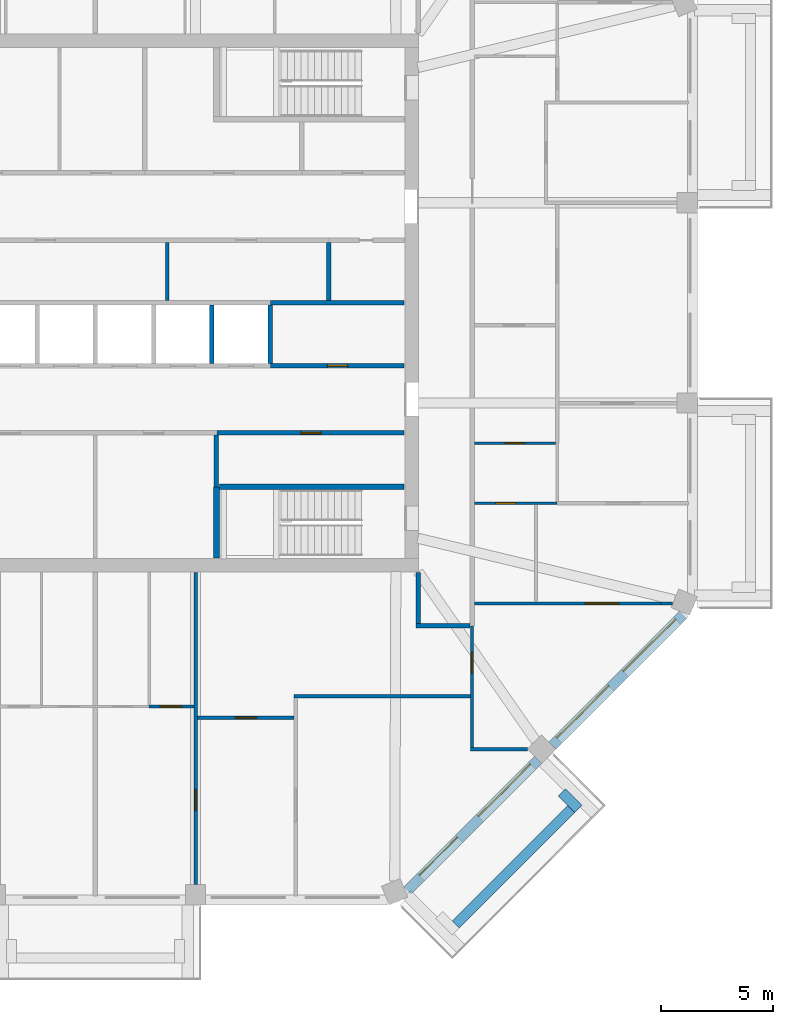
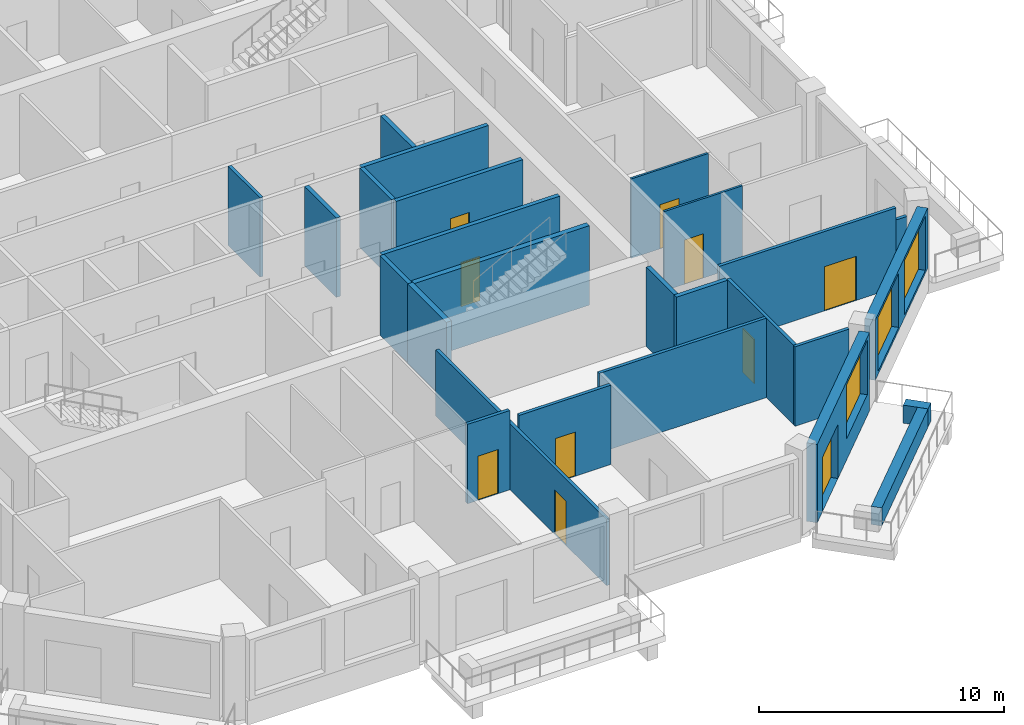
# One storey, part 5 of 12: 26 walls, 10 doors, 3 windows, 13 openings.
"""IFC4 building model written with IfcOpenShell, lengths in metres."""

from ifc_helpers import new_model, si_unit, direction, frame, frame_2d, origin, place, context, subcontext, project, spatial, rectangle, extrude, material, layer, layer_set, type_object, element, fill, save


model = new_model("IFC4")

# Units and contexts
model_context = context("Model", 3, precision=1e-05, world=origin(), true_north=direction((0.0, 1.0)))
body_context = subcontext(model_context, "Body", "Model", "MODEL_VIEW")
ifc_project = project(units=[si_unit("LENGTHUNIT", "METRE"), si_unit("AREAUNIT", "SQUARE_METRE"), si_unit("VOLUMEUNIT", "CUBIC_METRE"), si_unit("PLANEANGLEUNIT", "RADIAN"), si_unit("MASSUNIT", "GRAM", prefix="KILO")], contexts=[model_context])

# Site, building, storey
site_placement = place(None, origin())
site = spatial("IfcSite", under=ifc_project, at=site_placement, CompositionType="ELEMENT")
building_placement = place(site_placement, origin())
building = spatial("IfcBuilding", under=site, at=building_placement, Name="Msitu Wima Residences", CompositionType="ELEMENT")
storey_placement = place(building_placement, frame((0.0, 0.0, 239.10009765625)))
storey = spatial("IfcBuildingStorey", under=building, at=storey_placement, Name="L55", CompositionType="ELEMENT", Elevation=239.10009765625)

# Walls
ifc_material_1 = material(Name="Facing brick")
ifc_layer_1 = layer(ifc_material_1, 0.06494140625, Name="Facing brick")
ifc_material_2 = material(Name="Concrete C40/50", Category="concrete")
ifc_layer_2 = layer(ifc_material_2, 0.156005859375, Name="Concrete C40/50")
ifc_material_3 = material(Name="Waterproofing membrane")
ifc_layer_3 = layer(ifc_material_3, 0.00390625, Name="Waterproofing membrane")
ifc_material_4 = material(Name="Planting soil and planting")
ifc_layer_4 = layer(ifc_material_4, 0.22509765625, Name="Planting soil and planting")
ifc_layer_set_1 = layer_set([ifc_layer_1, ifc_layer_2, ifc_layer_3, ifc_layer_4], Name="Concrete C40/50")
wall_type_1 = type_object("IfcWallType", Name="Balcony planter PLANTER PL450", PredefinedType="USERDEFINED", material=ifc_layer_set_1)
wall_1_placement = place(storey_placement, frame((16.0751953125, -27.725830078125, 0.0), z_axis=(0.0, 0.0, 1.0), x_axis=(0.707106781187, 0.707106781187, 0.0)))
element("IfcWall", 1, at=wall_1_placement, inside=storey, type_object=wall_type_1, Name="Balcony planter SE0 L55", ObjectType="PLANTER", PredefinedType="USERDEFINED", context=body_context, shape_type="SweptSolid", body=[
    extrude(rectangle(XDim=7.288330078125, YDim=0.449951171875, at=frame_2d((3.64404296875, 0.0))), origin(), (0.0, 0.0, 1.0), 0.89990234375),
])
wall_2_placement = place(storey_placement, frame((20.804443359375, -21.829833984375, 0.0), z_axis=(0.0, 0.0, 1.0), x_axis=(0.707106781187, -0.707106781187, 0.0)))
element("IfcWall", 2, at=wall_2_placement, inside=storey, type_object=wall_type_1, Name="Balcony planter SE0 L55", ObjectType="PLANTER", PredefinedType="USERDEFINED", context=body_context, shape_type="SweptSolid", body=[
    extrude(rectangle(XDim=1.050048828125, YDim=0.449951171875, at=frame_2d((0.52490234375, 0.0))), origin(), (0.0, 0.0, 1.0), 0.89990234375),
])

# Wall, openings, door, window
ifc_material_5 = material(Name="Brick (red buff mix)", Category="masonry")
ifc_layer_5 = layer(ifc_material_5, 0.449951171875)
ifc_layer_set_2 = layer_set([ifc_layer_5], Name="Brick (red buff mix)")
wall_type_2 = type_object("IfcWallType", Name="Brick infill wall BW450", PredefinedType="SOLIDWALL", material=ifc_layer_set_2)
wall_3_placement = place(storey_placement, frame((13.909423828125, -26.214599609375, 0.0), z_axis=(0.0, 0.0, 1.0), x_axis=(0.707106781187, 0.707106781187, 0.0)))
wall_3 = element("IfcWall", 3, at=wall_3_placement, inside=storey, type_object=wall_type_2, Name="Brick infill wall L55 SE0", PredefinedType="SOLIDWALL", context=body_context, shape_type="SweptSolid", body=[
    extrude(rectangle(XDim=8.251220703125, YDim=0.449951171875, at=frame_2d((4.12548828125, 0.0))), origin(), (0.0, 0.0, 1.0), 3.89990234375),
])
opening_1_placement = place(wall_3_placement, frame((0.86279296875, 0.0, 0.0)))
opening_1 = element("IfcOpeningElement", 4, at=opening_1_placement, cuts=wall_3, Name="Opening D55-56.007", PredefinedType="OPENING", context=body_context, shape_type="SweptSolid", body=[
    extrude(rectangle(XDim=2.39990234375, YDim=2.699951171875, at=frame_2d((1.199951171875, 1.35009765625))), frame((0.0, 0.23486328125, 0.0), z_axis=(0.0, -1.0, 0.0), x_axis=(1.0, 0.0, 0.0)), (0.0, 0.0, 1.0), 0.469970703125),
])
opening_2_placement = place(wall_3_placement, frame((4.57568359375, 0.0, 1.050048828125)))
opening_2 = element("IfcOpeningElement", 5, at=opening_2_placement, cuts=wall_3, Name="Opening W55-56.021", PredefinedType="OPENING", context=body_context, shape_type="SweptSolid", body=[
    extrude(rectangle(XDim=3.300048828125, YDim=2.699951171875, at=frame_2d((1.64990234375, 1.35009765625))), frame((0.0, 0.23486328125, 0.0), z_axis=(0.0, -1.0, 0.0), x_axis=(1.0, 0.0, 0.0)), (0.0, 0.0, 1.0), 0.469970703125),
])
ifc_material_6 = material(Name="Anodised aluminium, bronze finish, clear low-emissivity double glazing", Category="aluminium")
door_type_1 = type_object("IfcDoorType", Name="Balcony door D2400x2700", OperationType="SLIDING_TO_LEFT", PredefinedType="DOOR", material=ifc_material_6)
door_1_placement = place(opening_1_placement, origin())
door_1 = element("IfcDoor", 6, at=door_1_placement, inside=storey, type_object=door_type_1, Name="Balcony door L55 SE0", OperationType="SINGLE_SWING_LEFT", OverallHeight=2.699951171875, OverallWidth=2.39990234375, PredefinedType="DOOR", context=body_context, shape_type="SweptSolid", body=[
    extrude(rectangle(XDim=2.39990234375, YDim=2.699951171875, at=frame_2d((1.199951171875, 1.35009765625))), frame((0.0, 0.1298828125, 0.0), z_axis=(0.0, -1.0, 0.0), x_axis=(1.0, 0.0, 0.0)), (0.0, 0.0, 1.0), 0.050048828125),
])
fill(opening_1, door_1)
window_type = type_object("IfcWindowType", Name="Window W3300x2700", PartitioningType="DOUBLE_PANEL_VERTICAL", PredefinedType="WINDOW", material=ifc_material_6)
window_1_placement = place(opening_2_placement, origin())
window_1 = element("IfcWindow", 7, at=window_1_placement, inside=storey, type_object=window_type, Name="Window L55 SE0.2", OverallHeight=2.699951171875, OverallWidth=3.300048828125, PartitioningType="SINGLE_PANEL", PredefinedType="WINDOW", context=body_context, shape_type="SweptSolid", body=[
    extrude(rectangle(XDim=3.300048828125, YDim=2.699951171875, at=frame_2d((1.64990234375, 1.35009765625))), frame((0.0, 0.135009765625, 0.0), z_axis=(0.0, -1.0, 0.0), x_axis=(1.0, 0.0, 0.0)), (0.0, 0.0, 1.0), 0.06005859375),
])
fill(opening_2, window_1)

# Wall, openings, windows
wall_4_placement = place(storey_placement, frame((20.380126953125, -19.743896484375, 0.89990234375), z_axis=(0.0, 0.0, 1.0), x_axis=(0.707106781187, 0.707106781187, 0.0)))
wall_4 = element("IfcWall", 8, at=wall_4_placement, inside=storey, type_object=wall_type_2, Name="Brick infill wall L55 SE1", PredefinedType="SOLIDWALL", context=body_context, shape_type="SweptSolid", body=[
    extrude(rectangle(XDim=8.251220703125, YDim=0.449951171875, at=frame_2d((4.12548828125, 0.0))), origin(), (0.0, 0.0, 1.0), 3.0),
])
opening_3_placement = place(wall_4_placement, frame((0.37548828125, 0.0, 0.14990234375)))
opening_3 = element("IfcOpeningElement", 9, at=opening_3_placement, cuts=wall_4, Name="Opening W55-56.022", PredefinedType="OPENING", context=body_context, shape_type="SweptSolid", body=[
    extrude(rectangle(XDim=3.300048828125, YDim=2.699951171875, at=frame_2d((1.64990234375, 1.35009765625))), frame((0.0, 0.23486328125, 0.0), z_axis=(0.0, -1.0, 0.0), x_axis=(1.0, 0.0, 0.0)), (0.0, 0.0, 1.0), 0.469970703125),
])
opening_4_placement = place(wall_4_placement, frame((4.57568359375, 0.0, 0.14990234375)))
opening_4 = element("IfcOpeningElement", 10, at=opening_4_placement, cuts=wall_4, Name="Opening W55-56.023", PredefinedType="OPENING", context=body_context, shape_type="SweptSolid", body=[
    extrude(rectangle(XDim=3.300048828125, YDim=2.699951171875, at=frame_2d((1.64990234375, 1.35009765625))), frame((0.0, 0.23486328125, 0.0), z_axis=(0.0, -1.0, 0.0), x_axis=(1.0, 0.0, 0.0)), (0.0, 0.0, 1.0), 0.469970703125),
])
window_2_placement = place(opening_3_placement, origin())
window_2 = element("IfcWindow", 11, at=window_2_placement, inside=storey, type_object=window_type, Name="Window L55 SE1.1", OverallHeight=2.699951171875, OverallWidth=3.300048828125, PartitioningType="SINGLE_PANEL", PredefinedType="WINDOW", context=body_context, shape_type="SweptSolid", body=[
    extrude(rectangle(XDim=3.300048828125, YDim=2.699951171875, at=frame_2d((1.64990234375, 1.35009765625))), frame((0.0, 0.135009765625, 0.0), z_axis=(0.0, -1.0, 0.0), x_axis=(1.0, 0.0, 0.0)), (0.0, 0.0, 1.0), 0.06005859375),
])
fill(opening_3, window_2)
window_3_placement = place(opening_4_placement, origin())
window_3 = element("IfcWindow", 12, at=window_3_placement, inside=storey, type_object=window_type, Name="Window L55 SE1.2", OverallHeight=2.699951171875, OverallWidth=3.300048828125, PartitioningType="SINGLE_PANEL", PredefinedType="WINDOW", context=body_context, shape_type="SweptSolid", body=[
    extrude(rectangle(XDim=3.300048828125, YDim=2.699951171875, at=frame_2d((1.64990234375, 1.35009765625))), frame((0.0, 0.135009765625, 0.0), z_axis=(0.0, -1.0, 0.0), x_axis=(1.0, 0.0, 0.0)), (0.0, 0.0, 1.0), 0.06005859375),
])
fill(opening_4, window_3)

# Walls
ifc_material_7 = material(Name="Plaster")
ifc_layer_6 = layer(ifc_material_7, 0.011962890625, Name="Plaster")
ifc_material_8 = material(Name="Concrete blockwork", Category="masonry")
ifc_layer_7 = layer(ifc_material_8, 0.176025390625, Name="Concrete blockwork")
ifc_layer_8 = layer(ifc_material_7, 0.011962890625, Name="Plaster")
ifc_layer_set_3 = layer_set([ifc_layer_6, ifc_layer_7, ifc_layer_8], Name="Concrete blockwork")
wall_type_3 = type_object("IfcWallType", Name="Corridor wall FW200", PredefinedType="PARTITIONING", material=ifc_layer_set_3)
wall_5_placement = place(storey_placement, frame((14.39990234375, -14.300048828125, 0.0), z_axis=(0.0, 0.0, 1.0), x_axis=(0.0, 1.0, 0.0)))
element("IfcWall", 13, at=wall_5_placement, inside=storey, type_object=wall_type_3, Name="Corridor wall", PredefinedType="PARTITIONING", context=body_context, shape_type="SweptSolid", body=[
    extrude(rectangle(XDim=2.27001953125, YDim=0.199951171875, at=frame_2d((1.135009765625, 0.0))), origin(), (0.0, 0.0, 1.0), 3.949951171875),
])
wall_6_placement = place(storey_placement, frame((14.300048828125, -14.39990234375, 0.0), z_axis=(0.0, 0.0, 1.0), x_axis=(1.0, 0.0, 0.0)))
element("IfcWall", 14, at=wall_6_placement, inside=storey, type_object=wall_type_3, Name="Corridor wall", PredefinedType="PARTITIONING", context=body_context, shape_type="SweptSolid", body=[
    extrude(rectangle(XDim=2.39990234375, YDim=0.199951171875, at=frame_2d((1.199951171875, 0.0))), origin(), (0.0, 0.0, 1.0), 3.949951171875),
])

# Wall, opening, door
ifc_layer_9 = layer(ifc_material_7, 0.011962890625, Name="Plaster")
ifc_layer_10 = layer(ifc_material_8, 0.1259765625, Name="Concrete blockwork")
ifc_layer_11 = layer(ifc_material_7, 0.011962890625, Name="Plaster")
ifc_layer_set_4 = layer_set([ifc_layer_9, ifc_layer_10, ifc_layer_11], Name="Concrete blockwork")
wall_type_4 = type_object("IfcWallType", Name="Partition PW150", PredefinedType="PARTITIONING", material=ifc_layer_set_4)
wall_7_placement = place(storey_placement, frame((2.39990234375, -18.0, 0.0), z_axis=(0.0, 0.0, 1.0), x_axis=(1.0, 0.0, 0.0)))
wall_7 = element("IfcWall", 15, at=wall_7_placement, inside=storey, type_object=wall_type_4, Name="Partition", PredefinedType="PARTITIONING", context=body_context, shape_type="SweptSolid", body=[
    extrude(rectangle(XDim=1.99365234375, YDim=0.14990234375, at=frame_2d((0.996826171875, 0.0))), origin(), (0.0, 0.0, 1.0), 3.949951171875),
])
opening_5_placement = place(wall_7_placement, frame((0.5, 0.0, 0.0)))
opening_5 = element("IfcOpeningElement", 16, at=opening_5_placement, cuts=wall_7, Name="Opening D55-56.027", PredefinedType="OPENING", context=body_context, shape_type="SweptSolid", body=[
    extrude(rectangle(XDim=0.949951171875, YDim=2.199951171875, at=frame_2d((0.47509765625, 1.10009765625))), frame((0.0, 0.0849609375, 0.0), z_axis=(0.0, -1.0, 0.0), x_axis=(1.0, 0.0, 0.0)), (0.0, 0.0, 1.0), 0.169921875),
])
ifc_material_9 = material(Name="Timber flush door", Category="wood")
door_type_2 = type_object("IfcDoorType", Name="Room door D12 950x2200", OperationType="SINGLE_SWING_LEFT", PredefinedType="DOOR", material=ifc_material_9)
door_2_placement = place(opening_5_placement, origin())
door_2 = element("IfcDoor", 17, at=door_2_placement, inside=storey, type_object=door_type_2, Name="Room door", OperationType="SINGLE_SWING_LEFT", OverallHeight=2.199951171875, OverallWidth=0.949951171875, PredefinedType="DOOR", context=body_context, shape_type="SweptSolid", body=[
    extrude(rectangle(XDim=0.949951171875, YDim=2.199951171875, at=frame_2d((0.47509765625, 1.10009765625))), frame((0.0, 0.02490234375, 0.0), z_axis=(0.0, -1.0, 0.0), x_axis=(1.0, 0.0, 0.0)), (0.0, 0.0, 1.0), 0.050048828125),
])
fill(opening_5, door_2)

# Wall
wall_8_placement = place(storey_placement, frame((3.199951171875, 0.10009765625, 0.0), z_axis=(0.0, 0.0, 1.0), x_axis=(0.0, 1.0, 0.0)))
element("IfcWall", 18, at=wall_8_placement, inside=storey, type_object=wall_type_4, Name="Partition", PredefinedType="PARTITIONING", context=body_context, shape_type="SweptSolid", body=[
    extrude(rectangle(XDim=2.599853515625, YDim=0.14990234375, at=frame_2d((1.2998046875, 0.0))), origin(), (0.0, 0.0, 1.0), 3.949951171875),
])

# Wall, opening, door
wall_9_placement = place(storey_placement, frame((4.46875, -25.949951171875, 0.0), z_axis=(0.0, 0.0, 1.0), x_axis=(0.0, 1.0, 0.0)))
wall_9 = element("IfcWall", 19, at=wall_9_placement, inside=storey, type_object=wall_type_4, Name="Partition", PredefinedType="PARTITIONING", context=body_context, shape_type="SweptSolid", body=[
    extrude(rectangle(XDim=13.919921875, YDim=0.14990234375, at=frame_2d((6.9599609375, 0.0))), origin(), (0.0, 0.0, 1.0), 3.2998046875),
])
opening_6_placement = place(wall_9_placement, frame((3.300048828125, 0.0, 0.0)))
opening_6 = element("IfcOpeningElement", 20, at=opening_6_placement, cuts=wall_9, Name="Opening D55-56.025", PredefinedType="OPENING", context=body_context, shape_type="SweptSolid", body=[
    extrude(rectangle(XDim=0.949951171875, YDim=2.199951171875, at=frame_2d((0.47509765625, 1.10009765625))), frame((0.0, 0.0849609375, 0.0), z_axis=(0.0, -1.0, 0.0), x_axis=(1.0, 0.0, 0.0)), (0.0, 0.0, 1.0), 0.169921875),
])
door_3_placement = place(opening_6_placement, origin())
door_3 = element("IfcDoor", 21, at=door_3_placement, inside=storey, type_object=door_type_2, Name="Room door", OperationType="SINGLE_SWING_LEFT", OverallHeight=2.199951171875, OverallWidth=0.949951171875, PredefinedType="DOOR", context=body_context, shape_type="SweptSolid", body=[
    extrude(rectangle(XDim=0.949951171875, YDim=2.199951171875, at=frame_2d((0.47509765625, 1.10009765625))), frame((0.0, 0.02490234375, 0.0), z_axis=(0.0, -1.0, 0.0), x_axis=(1.0, 0.0, 0.0)), (0.0, 0.0, 1.0), 0.050048828125),
])
fill(opening_6, door_3)

wall_10_placement = place(storey_placement, frame((4.543701171875, -18.5, 0.0), z_axis=(0.0, 0.0, 1.0), x_axis=(1.0, 0.0, 0.0)))
wall_10 = element("IfcWall", 22, at=wall_10_placement, inside=storey, type_object=wall_type_4, Name="Partition", PredefinedType="PARTITIONING", context=body_context, shape_type="SweptSolid", body=[
    extrude(rectangle(XDim=4.318603515625, YDim=0.14990234375, at=frame_2d((2.1591796875, 0.0))), origin(), (0.0, 0.0, 1.0), 3.949951171875),
])
opening_7_placement = place(wall_10_placement, frame((1.699951171875, 0.0, 0.0)))
opening_7 = element("IfcOpeningElement", 23, at=opening_7_placement, cuts=wall_10, Name="Opening D55-56.021", PredefinedType="OPENING", context=body_context, shape_type="SweptSolid", body=[
    extrude(rectangle(XDim=0.949951171875, YDim=2.199951171875, at=frame_2d((0.47509765625, 1.10009765625))), frame((0.0, 0.0849609375, 0.0), z_axis=(0.0, -1.0, 0.0), x_axis=(1.0, 0.0, 0.0)), (0.0, 0.0, 1.0), 0.169921875),
])
door_4_placement = place(opening_7_placement, origin())
door_4 = element("IfcDoor", 24, at=door_4_placement, inside=storey, type_object=door_type_2, Name="Room door", OperationType="SINGLE_SWING_RIGHT", OverallHeight=2.199951171875, OverallWidth=0.949951171875, PredefinedType="DOOR", context=body_context, shape_type="SweptSolid", body=[
    extrude(rectangle(XDim=0.949951171875, YDim=2.199951171875, at=frame_2d((0.47509765625, 1.10009765625))), frame((0.0, 0.02490234375, 0.0), z_axis=(0.0, -1.0, 0.0), x_axis=(1.0, 0.0, 0.0)), (0.0, 0.0, 1.0), 0.050048828125),
])
fill(opening_7, door_4)

# Wall
wall_11_placement = place(storey_placement, frame((8.8623046875, -17.550048828125, 0.0), z_axis=(0.0, 0.0, 1.0), x_axis=(1.0, 0.0, 0.0)))
element("IfcWall", 25, at=wall_11_placement, inside=storey, type_object=wall_type_4, Name="Partition", PredefinedType="PARTITIONING", context=body_context, shape_type="SweptSolid", body=[
    extrude(rectangle(XDim=7.86279296875, YDim=0.14990234375, at=frame_2d((3.931396484375, 0.0))), origin(), (0.0, 0.0, 1.0), 3.949951171875),
])

# Wall, opening, door
wall_12_placement = place(storey_placement, frame((16.800048828125, -19.827880859375, 0.0), z_axis=(0.0, 0.0, 1.0), x_axis=(0.0, 1.0, 0.0)))
wall_12 = element("IfcWall", 26, at=wall_12_placement, inside=storey, type_object=wall_type_4, Name="Partition", PredefinedType="PARTITIONING", context=body_context, shape_type="SweptSolid", body=[
    extrude(rectangle(XDim=5.427978515625, YDim=0.14990234375, at=frame_2d((2.7138671875, 0.0))), origin(), (0.0, 0.0, 1.0), 3.949951171875),
])
opening_8_placement = place(wall_12_placement, frame((3.300048828125, 0.0, 0.0)))
opening_8 = element("IfcOpeningElement", 27, at=opening_8_placement, cuts=wall_12, Name="Opening D55-56.020", PredefinedType="OPENING", context=body_context, shape_type="SweptSolid", body=[
    extrude(rectangle(XDim=0.949951171875, YDim=2.199951171875, at=frame_2d((0.47509765625, 1.10009765625))), frame((0.0, 0.0849609375, 0.0), z_axis=(0.0, -1.0, 0.0), x_axis=(1.0, 0.0, 0.0)), (0.0, 0.0, 1.0), 0.169921875),
])
door_5_placement = place(opening_8_placement, origin())
door_5 = element("IfcDoor", 28, at=door_5_placement, inside=storey, type_object=door_type_2, Name="Room door", OperationType="SINGLE_SWING_LEFT", OverallHeight=2.199951171875, OverallWidth=0.949951171875, PredefinedType="DOOR", context=body_context, shape_type="SweptSolid", body=[
    extrude(rectangle(XDim=0.949951171875, YDim=2.199951171875, at=frame_2d((0.47509765625, 1.10009765625))), frame((0.0, 0.02490234375, 0.0), z_axis=(0.0, -1.0, 0.0), x_axis=(1.0, 0.0, 0.0)), (0.0, 0.0, 1.0), 0.050048828125),
])
fill(opening_8, door_5)

# Wall
wall_13_placement = place(storey_placement, frame((16.72509765625, -19.90283203125, 0.0), z_axis=(0.0, 0.0, 1.0), x_axis=(1.0, 0.0, 0.0)))
element("IfcWall", 29, at=wall_13_placement, inside=storey, type_object=wall_type_4, Name="Partition", PredefinedType="PARTITIONING", context=body_context, shape_type="SweptSolid", body=[
    extrude(rectangle(XDim=2.54150390625, YDim=0.14990234375, at=frame_2d((1.270751953125, 0.0))), origin(), (0.0, 0.0, 1.0), 3.949951171875),
])

# Wall, opening, door
wall_14_placement = place(storey_placement, frame((16.89990234375, -13.406005859375, 0.0), z_axis=(0.0, 0.0, 1.0), x_axis=(1.0, 0.0, 0.0)))
wall_14 = element("IfcWall", 30, at=wall_14_placement, inside=storey, type_object=wall_type_4, Name="Partition", PredefinedType="PARTITIONING", context=body_context, shape_type="SweptSolid", body=[
    extrude(rectangle(XDim=8.32421875, YDim=0.14990234375, at=frame_2d((4.162109375, 0.0))), origin(), (0.0, 0.0, 1.0), 3.949951171875),
])
opening_9_placement = place(wall_14_placement, frame((4.949951171875, 0.0, 0.0)))
opening_9 = element("IfcOpeningElement", 31, at=opening_9_placement, cuts=wall_14, Name="Opening D55-56.019", PredefinedType="OPENING", context=body_context, shape_type="SweptSolid", body=[
    extrude(rectangle(XDim=1.5, YDim=2.199951171875, at=frame_2d((0.75, 1.10009765625))), frame((0.0, 0.0849609375, 0.0), z_axis=(0.0, -1.0, 0.0), x_axis=(1.0, 0.0, 0.0)), (0.0, 0.0, 1.0), 0.169921875),
])
ifc_material_10 = material(Name="Timber double door", Category="wood")
door_type_3 = type_object("IfcDoorType", Name="Double door D04 1500x2200", OperationType="DOUBLE_DOOR_SINGLE_SWING", PredefinedType="DOOR", material=ifc_material_10)
door_6_placement = place(opening_9_placement, origin())
door_6 = element("IfcDoor", 32, at=door_6_placement, inside=storey, type_object=door_type_3, Name="Double door", OperationType="DOUBLE_DOOR_SINGLE_SWING", OverallHeight=2.199951171875, OverallWidth=1.5, PredefinedType="DOOR", context=body_context, shape_type="SweptSolid", body=[
    extrude(rectangle(XDim=1.5, YDim=2.199951171875, at=frame_2d((0.75, 1.10009765625))), frame((0.0, 0.02490234375, 0.0), z_axis=(0.0, -1.0, 0.0), x_axis=(1.0, 0.0, 0.0)), (0.0, 0.0, 1.0), 0.050048828125),
])
fill(opening_9, door_6)

# Wall
wall_15_placement = place(storey_placement, frame((25.22412109375, -13.406005859375, 0.0), z_axis=(0.0, 0.0, 1.0), x_axis=(1.0, 0.0, 0.0)))
element("IfcWall", 33, at=wall_15_placement, inside=storey, type_object=wall_type_4, Name="Partition", PredefinedType="PARTITIONING", context=body_context, shape_type="SweptSolid", body=[
    extrude(rectangle(XDim=0.507080078125, YDim=0.14990234375, at=frame_2d((0.25341796875, 0.0))), origin(), (0.0, 0.0, 1.0), 3.349853515625),
])

# Wall, opening, door
ifc_layer_12 = layer(ifc_material_7, 0.011962890625, Name="Plaster")
ifc_material_11 = material(Name="Reinforced concrete blockwork", Category="masonry")
ifc_layer_13 = layer(ifc_material_11, 0.176025390625, Name="Reinforced concrete blockwork")
ifc_layer_14 = layer(ifc_material_7, 0.011962890625, Name="Plaster")
ifc_layer_set_5 = layer_set([ifc_layer_12, ifc_layer_13, ifc_layer_14], Name="Reinforced concrete blockwork")
wall_type_5 = type_object("IfcWallType", Name="Plant and riser wall PL200", PredefinedType="PARTITIONING", material=ifc_layer_set_5)
wall_16_placement = place(storey_placement, frame((5.419921875, -5.800048828125, 0.0), z_axis=(0.0, 0.0, 1.0), x_axis=(1.0, 0.0, 0.0)))
wall_16 = element("IfcWall", 34, at=wall_16_placement, inside=storey, type_object=wall_type_5, Name="Plant and riser wall", PredefinedType="PARTITIONING", context=body_context, shape_type="SweptSolid", body=[
    extrude(rectangle(XDim=8.35009765625, YDim=0.199951171875, at=frame_2d((4.175048828125, 0.0))), origin(), (0.0, 0.0, 1.0), 3.949951171875),
])
opening_10_placement = place(wall_16_placement, frame((3.75, 0.0, 0.0)))
opening_10 = element("IfcOpeningElement", 35, at=opening_10_placement, cuts=wall_16, Name="Opening D55-56.070", PredefinedType="OPENING", context=body_context, shape_type="SweptSolid", body=[
    extrude(rectangle(XDim=0.89990234375, YDim=2.199951171875, at=frame_2d((0.449951171875, 1.10009765625))), frame((0.0, 0.10986328125, 0.0), z_axis=(0.0, -1.0, 0.0), x_axis=(1.0, 0.0, 0.0)), (0.0, 0.0, 1.0), 0.219970703125),
])
door_type_4 = type_object("IfcDoorType", Name="Service door D05 900x2200", OperationType="SINGLE_SWING_LEFT", PredefinedType="DOOR", material=ifc_material_9)
door_7_placement = place(opening_10_placement, origin())
door_7 = element("IfcDoor", 36, at=door_7_placement, inside=storey, type_object=door_type_4, Name="Service door", OperationType="SINGLE_SWING_LEFT", OverallHeight=2.199951171875, OverallWidth=0.89990234375, PredefinedType="DOOR", context=body_context, shape_type="SweptSolid", body=[
    extrude(rectangle(XDim=0.89990234375, YDim=2.199951171875, at=frame_2d((0.449951171875, 1.10009765625))), frame((0.0, 0.02490234375, 0.0), z_axis=(0.0, -1.0, 0.0), x_axis=(1.0, 0.0, 0.0)), (0.0, 0.0, 1.0), 0.050048828125),
])
fill(opening_10, door_7)

# Wall
wall_17_placement = place(storey_placement, frame((5.39990234375, -8.199951171875, 0.0), z_axis=(0.0, 0.0, 1.0), x_axis=(0.0, 1.0, 0.0)))
element("IfcWall", 37, at=wall_17_placement, inside=storey, type_object=wall_type_5, Name="Plant and riser wall", PredefinedType="PARTITIONING", context=body_context, shape_type="SweptSolid", body=[
    extrude(rectangle(XDim=2.300048828125, YDim=0.199951171875, at=frame_2d((1.14990234375, 0.0))), origin(), (0.0, 0.0, 1.0), 3.949951171875),
])

# Wall, opening, door
wall_18_placement = place(storey_placement, frame((7.800048828125, -2.800048828125, 0.0), z_axis=(0.0, 0.0, 1.0), x_axis=(1.0, 0.0, 0.0)))
wall_18 = element("IfcWall", 38, at=wall_18_placement, inside=storey, type_object=wall_type_5, Name="Plant and riser wall", PredefinedType="PARTITIONING", context=body_context, shape_type="SweptSolid", body=[
    extrude(rectangle(XDim=5.969970703125, YDim=0.199951171875, at=frame_2d((2.98486328125, 0.0))), origin(), (0.0, 0.0, 1.0), 3.949951171875),
])
opening_11_placement = place(wall_18_placement, frame((2.550048828125, 0.0, 0.0)))
opening_11 = element("IfcOpeningElement", 39, at=opening_11_placement, cuts=wall_18, Name="Opening D55-56.059", PredefinedType="OPENING", context=body_context, shape_type="SweptSolid", body=[
    extrude(rectangle(XDim=0.89990234375, YDim=2.199951171875, at=frame_2d((0.449951171875, 1.10009765625))), frame((0.0, 0.10986328125, 0.0), z_axis=(0.0, -1.0, 0.0), x_axis=(1.0, 0.0, 0.0)), (0.0, 0.0, 1.0), 0.219970703125),
])
door_8_placement = place(opening_11_placement, origin())
door_8 = element("IfcDoor", 40, at=door_8_placement, inside=storey, type_object=door_type_4, Name="Service door", OperationType="SINGLE_SWING_LEFT", OverallHeight=2.199951171875, OverallWidth=0.89990234375, PredefinedType="DOOR", context=body_context, shape_type="SweptSolid", body=[
    extrude(rectangle(XDim=0.89990234375, YDim=2.199951171875, at=frame_2d((0.449951171875, 1.10009765625))), frame((0.0, 0.02490234375, 0.0), z_axis=(0.0, -1.0, 0.0), x_axis=(1.0, 0.0, 0.0)), (0.0, 0.0, 1.0), 0.050048828125),
])
fill(opening_11, door_8)

# Walls
wall_19_placement = place(storey_placement, frame((7.800048828125, 0.0, 0.0), z_axis=(0.0, 0.0, 1.0), x_axis=(1.0, 0.0, 0.0)))
element("IfcWall", 41, at=wall_19_placement, inside=storey, type_object=wall_type_5, Name="Plant and riser wall", PredefinedType="PARTITIONING", context=body_context, shape_type="SweptSolid", body=[
    extrude(rectangle(XDim=5.969970703125, YDim=0.199951171875, at=frame_2d((2.98486328125, 0.0))), origin(), (0.0, 0.0, 1.0), 3.949951171875),
])
wall_20_placement = place(storey_placement, frame((10.39990234375, 0.10009765625, 0.0), z_axis=(0.0, 0.0, 1.0), x_axis=(0.0, 1.0, 0.0)))
element("IfcWall", 42, at=wall_20_placement, inside=storey, type_object=wall_type_5, Name="Plant and riser wall", PredefinedType="PARTITIONING", context=body_context, shape_type="SweptSolid", body=[
    extrude(rectangle(XDim=2.599853515625, YDim=0.199951171875, at=frame_2d((1.2998046875, 0.0))), origin(), (0.0, 0.0, 1.0), 3.949951171875),
])
ifc_material_12 = material(Name="Fire-rated board")
ifc_layer_15 = layer(ifc_material_12, 0.02490234375, Name="Fire-rated board")
ifc_material_13 = material(Name="Light-gauge stud framing with mineral wool")
ifc_layer_16 = layer(ifc_material_13, 0.14990234375, Name="Light-gauge stud framing with mineral wool")
ifc_layer_17 = layer(ifc_material_12, 0.02490234375, Name="Fire-rated board")
ifc_layer_set_6 = layer_set([ifc_layer_15, ifc_layer_16, ifc_layer_17], Name="Light-gauge stud framing with mineral wool")
wall_type_6 = type_object("IfcWallType", Name="Shaft wall SH200", PredefinedType="PARTITIONING", material=ifc_layer_set_6)
for number, where, z_axis, x_axis, name in (
    (43, (5.199951171875, -2.699951171875, 0.0), (0.0, 0.0, 1.0), (0.0, 1.0, 0.0), "Shaft wall"),
    (44, (7.800048828125, -2.699951171875, 0.0), (0.0, 0.0, 1.0), (0.0, 1.0, 0.0), "Shaft wall"),
):
    element("IfcWall", number, at=place(storey_placement, frame(where, z_axis=z_axis, x_axis=x_axis)), inside=storey, type_object=wall_type_6, Name=name, PredefinedType="PARTITIONING", context=body_context, shape_type="SweptSolid", body=[
        extrude(rectangle(XDim=2.599853515625, YDim=0.199951171875, at=frame_2d((1.2998046875, 0.0))), origin(), (0.0, 0.0, 1.0), 3.949951171875),
    ])
ifc_material_14 = material(Name="Concrete C50/60", Category="concrete")
ifc_layer_18 = layer(ifc_material_14, 0.25)
ifc_layer_set_7 = layer_set([ifc_layer_18], Name="Concrete C50/60")
wall_type_7 = type_object("IfcWallType", Name="Stair enclosure wall SW250", PredefinedType="SHEAR", material=ifc_layer_set_7)
wall_21_placement = place(storey_placement, frame((5.39990234375, -11.3701171875, 0.0), z_axis=(0.0, 0.0, 1.0), x_axis=(0.0, 1.0, 0.0)))
element("IfcWall", 45, at=wall_21_placement, inside=storey, type_object=wall_type_7, Name="Stair enclosure wall", PredefinedType="SHEAR", context=body_context, shape_type="SweptSolid", body=[
    extrude(rectangle(XDim=3.170166015625, YDim=0.25, at=frame_2d((1.5849609375, 0.0))), origin(), (0.0, 0.0, 1.0), 3.949951171875),
])
wall_22_placement = place(storey_placement, frame((5.52490234375, -8.199951171875, 0.0), z_axis=(0.0, 0.0, 1.0), x_axis=(1.0, 0.0, 0.0)))
element("IfcWall", 46, at=wall_22_placement, inside=storey, type_object=wall_type_7, Name="Stair enclosure wall", PredefinedType="SHEAR", context=body_context, shape_type="SweptSolid", body=[
    extrude(rectangle(XDim=8.2451171875, YDim=0.25, at=frame_2d((4.12255859375, 0.0))), origin(), (0.0, 0.0, 1.0), 3.949951171875),
])

# Wall, opening, door
ifc_material_15 = material(Name="Ceramic tiles")
ifc_layer_19 = layer(ifc_material_15, 0.008056640625, Name="Ceramic tiles")
ifc_material_16 = material(Name="Moisture-resistant board")
ifc_layer_20 = layer(ifc_material_16, 0.012451171875, Name="Moisture-resistant board")
ifc_layer_21 = layer(ifc_material_13, 0.06689453125, Name="Light-gauge stud framing with mineral wool")
ifc_layer_22 = layer(ifc_material_16, 0.012451171875, Name="Moisture-resistant board")
ifc_layer_set_8 = layer_set([ifc_layer_19, ifc_layer_20, ifc_layer_21, ifc_layer_22], Name="Light-gauge stud framing with mineral wool")
wall_type_8 = type_object("IfcWallType", Name="Wet wall PW100", PredefinedType="PARTITIONING", material=ifc_layer_set_8)
wall_23_placement = place(storey_placement, frame((16.89990234375, -8.937255859375, 0.0), z_axis=(0.0, 0.0, 1.0), x_axis=(1.0, 0.0, 0.0)))
wall_23 = element("IfcWall", 47, at=wall_23_placement, inside=storey, type_object=wall_type_8, Name="Wet wall", PredefinedType="PARTITIONING", context=body_context, shape_type="SweptSolid", body=[
    extrude(rectangle(XDim=3.68017578125, YDim=0.10009765625, at=frame_2d((1.840087890625, 0.0))), origin(), (0.0, 0.0, 1.0), 3.949951171875),
])
opening_12_placement = place(wall_23_placement, frame((0.949951171875, 0.0, 0.0)))
opening_12 = element("IfcOpeningElement", 48, at=opening_12_placement, cuts=wall_23, Name="Opening D55-56.016", PredefinedType="OPENING", context=body_context, shape_type="SweptSolid", body=[
    extrude(rectangle(XDim=0.89990234375, YDim=2.199951171875, at=frame_2d((0.449951171875, 1.10009765625))), frame((0.0, 0.06005859375, 0.0), z_axis=(0.0, -1.0, 0.0), x_axis=(1.0, 0.0, 0.0)), (0.0, 0.0, 1.0), 0.1201171875),
])
door_9_placement = place(opening_12_placement, origin())
door_9 = element("IfcDoor", 49, at=door_9_placement, inside=storey, type_object=door_type_4, Name="Service door", OperationType="SINGLE_SWING_LEFT", OverallHeight=2.199951171875, OverallWidth=0.89990234375, PredefinedType="DOOR", context=body_context, shape_type="SweptSolid", body=[
    extrude(rectangle(XDim=0.89990234375, YDim=2.199951171875, at=frame_2d((0.449951171875, 1.10009765625))), frame((0.0, 0.02490234375, 0.0), z_axis=(0.0, -1.0, 0.0), x_axis=(1.0, 0.0, 0.0)), (0.0, 0.0, 1.0), 0.050048828125),
])
fill(opening_12, door_9)

wall_24_placement = place(storey_placement, frame((16.89990234375, -6.256103515625, 0.0), z_axis=(0.0, 0.0, 1.0), x_axis=(1.0, 0.0, 0.0)))
wall_24 = element("IfcWall", 50, at=wall_24_placement, inside=storey, type_object=wall_type_8, Name="Wet wall", PredefinedType="PARTITIONING", context=body_context, shape_type="SweptSolid", body=[
    extrude(rectangle(XDim=3.625, YDim=0.10009765625, at=frame_2d((1.8125, 0.0))), origin(), (0.0, 0.0, 1.0), 3.949951171875),
])
opening_13_placement = place(wall_24_placement, frame((1.35009765625, 0.0, 0.0)))
opening_13 = element("IfcOpeningElement", 51, at=opening_13_placement, cuts=wall_24, Name="Opening D55-56.034", PredefinedType="OPENING", context=body_context, shape_type="SweptSolid", body=[
    extrude(rectangle(XDim=0.89990234375, YDim=2.199951171875, at=frame_2d((0.449951171875, 1.10009765625))), frame((0.0, 0.06005859375, 0.0), z_axis=(0.0, -1.0, 0.0), x_axis=(1.0, 0.0, 0.0)), (0.0, 0.0, 1.0), 0.1201171875),
])
door_10_placement = place(opening_13_placement, origin())
door_10 = element("IfcDoor", 52, at=door_10_placement, inside=storey, type_object=door_type_4, Name="Service door", OperationType="SINGLE_SWING_LEFT", OverallHeight=2.199951171875, OverallWidth=0.89990234375, PredefinedType="DOOR", context=body_context, shape_type="SweptSolid", body=[
    extrude(rectangle(XDim=0.89990234375, YDim=2.199951171875, at=frame_2d((0.449951171875, 1.10009765625))), frame((0.0, 0.02490234375, 0.0), z_axis=(0.0, -1.0, 0.0), x_axis=(1.0, 0.0, 0.0)), (0.0, 0.0, 1.0), 0.050048828125),
])
fill(opening_13, door_10)

save(model, "model.ifc")
